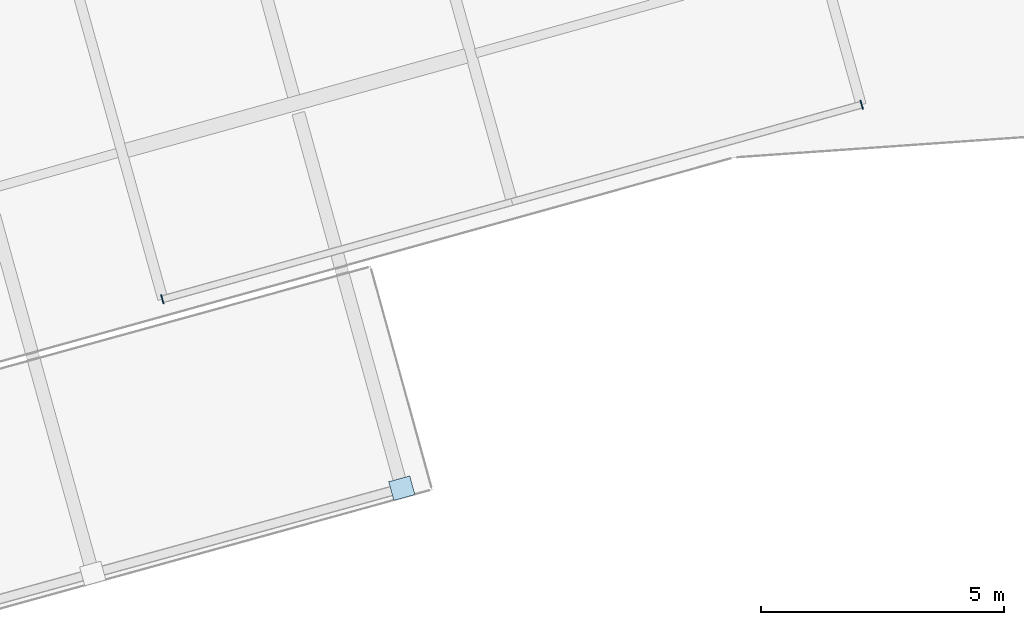
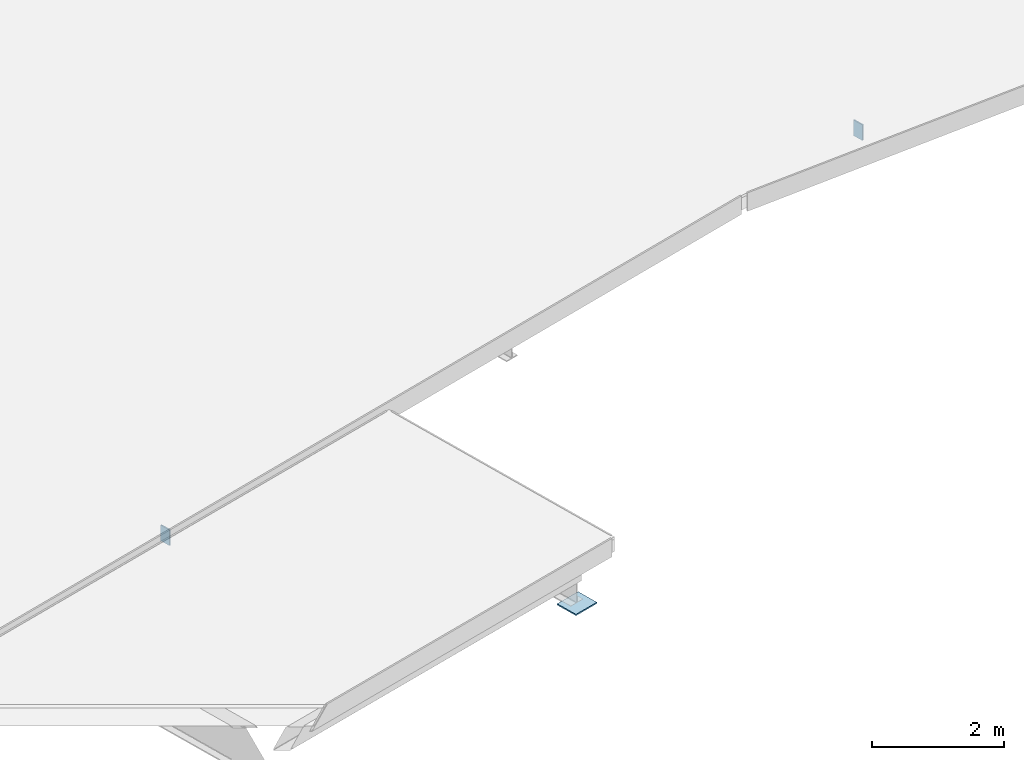
# One storey, part 38 of 90: 3 plates.
"""IFC4 building model written with IfcOpenShell, lengths in metres."""

from ifc_helpers import new_model, si_unit, direction, frame, origin, origin_2d, place, context, subcontext, project, spatial, rectangle, extrude, material, layer, layer_set, type_object, element, save


model = new_model("IFC4")

# Units and contexts
model_context = context("Model", 3, precision=1e-05, world=origin(), true_north=direction((0.0, 1.0)))
body_context = subcontext(model_context, "Body", "Model", "MODEL_VIEW")
ifc_project = project(units=[si_unit("LENGTHUNIT", "METRE"), si_unit("AREAUNIT", "SQUARE_METRE"), si_unit("VOLUMEUNIT", "CUBIC_METRE"), si_unit("PLANEANGLEUNIT", "RADIAN"), si_unit("MASSUNIT", "GRAM", prefix="KILO")], contexts=[model_context])

# Site, building, storey
site_placement = place(None, origin())
site = spatial("IfcSite", under=ifc_project, at=site_placement, CompositionType="ELEMENT")
building_placement = place(site_placement, origin())
building = spatial("IfcBuilding", under=site, at=building_placement, Name="Wrenclough Park School", CompositionType="ELEMENT")
storey_placement = place(building_placement, frame((0.0, 0.0, 8.39990234375)))
storey = spatial("IfcBuildingStorey", under=building, at=storey_placement, Name="L02", CompositionType="ELEMENT", Elevation=8.39990234375)

# Plates
ifc_material = material(Name="Structural steel S355", Category="steel")
ifc_layer_1 = layer(ifc_material, 0.2900390625)
ifc_layer_set_1 = layer_set([ifc_layer_1], Name="Structural steel S355")
plate_type_1 = type_object("IfcPlateType", Name="STR-PL-EP250", PredefinedType="SHEET", material=ifc_layer_set_1)
for number, where, z_axis, x_axis, name in (
    (1, (74.424072265625, 26.31982421875, -0.5), (0.0, 0.0, 1.0), (0.963396876837, 0.268079200424, 0.0), "W12 eave fascia R1 start sealing end-cap plate"),
    (2, (88.8203125, 30.32568359375, -0.5), (0.0, 0.0, 1.0), (0.963396876837, 0.268079200424, 0.0), "W12 eave fascia R2 end sealing end-cap plate"),
):
    element("IfcPlate", number, at=place(storey_placement, frame(where, z_axis=z_axis, x_axis=x_axis)), inside=storey, type_object=plate_type_1, Name=name, PredefinedType="SHEET", context=body_context, shape_type="SweptSolid", body=[
        extrude(rectangle(XDim=0.02197265625, YDim=0.18994140625, at=origin_2d()), origin(), (0.0, 0.0, 1.0), 0.2900390625),
    ])
ifc_layer_2 = layer(ifc_material, 0.02392578125)
ifc_layer_set_2 = layer_set([ifc_layer_2], Name="Structural steel S355")
plate_type_2 = type_object("IfcPlateType", Name="STR-PL-KN5", PredefinedType="USERDEFINED", material=ifc_layer_set_2)
plate_placement = place(storey_placement, frame((79.35400390625, 22.430419921875, -0.9990234375), z_axis=(0.0, 0.0, 1.0), x_axis=(0.964002648928, 0.265892634084, 0.0)))
element("IfcPlate", 3, at=plate_placement, inside=storey, type_object=plate_type_2, Name="EAVE-ENTRANCE raking V-strut tip cleat plate 4", ObjectType="GUSSET PLATE", PredefinedType="USERDEFINED", context=body_context, shape_type="SweptSolid", body=[
    extrude(rectangle(XDim=0.449951171875, YDim=0.39990234375, at=origin_2d()), origin(), (0.0, 0.0, 1.0), 0.02392578125),
])

save(model, "model.ifc")
